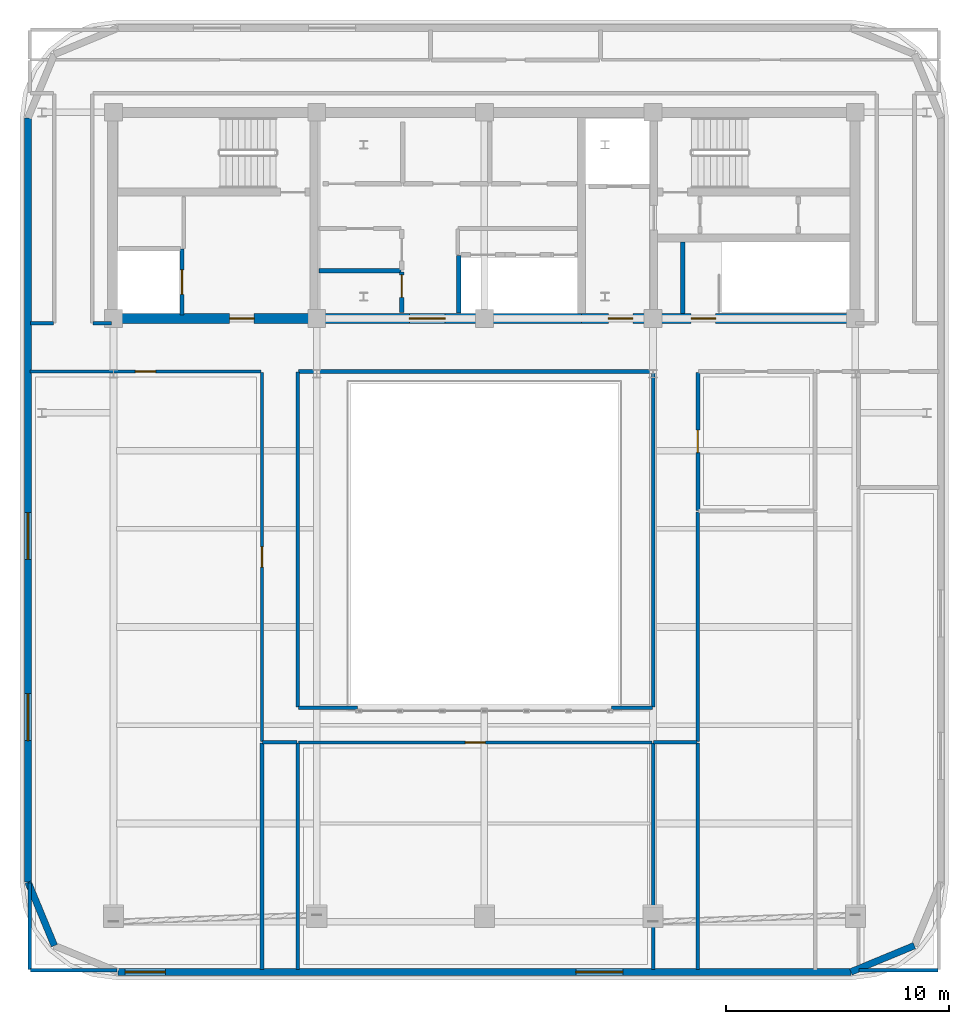
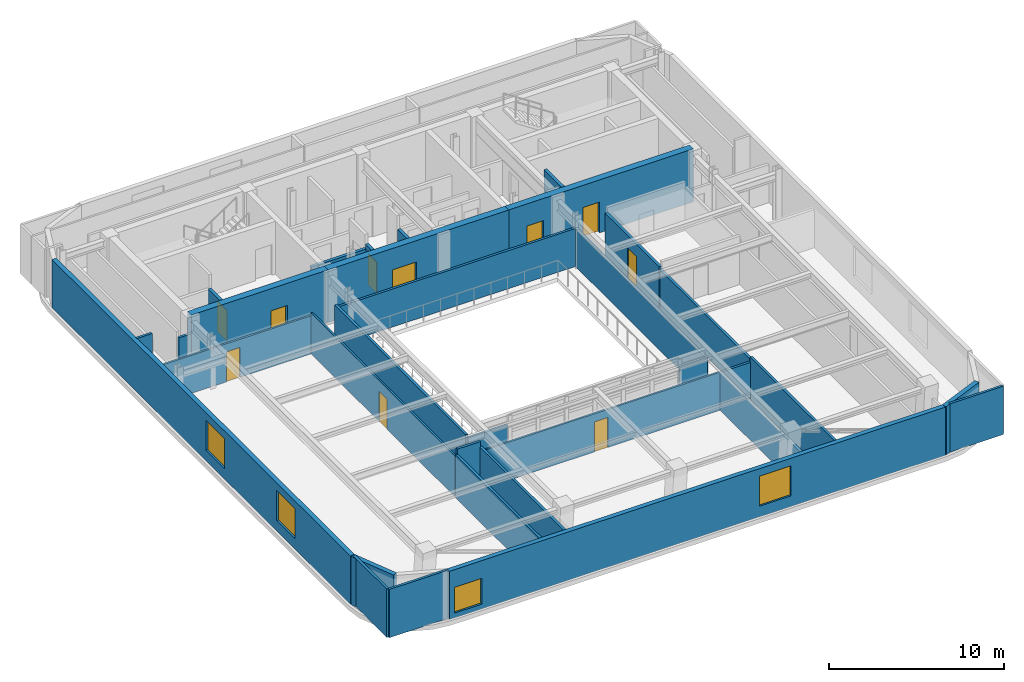
# One storey, part 6 of 11: 33 walls, 10 doors, 4 windows, 14 openings.
"""IFC4 building model written with IfcOpenShell, lengths in metres."""

from ifc_helpers import new_model, si_unit, direction, frame, frame_2d, origin, place, context, subcontext, project, spatial, rectangle, extrude, material, layer, layer_set, type_object, element, fill, save


model = new_model("IFC4")

# Units and contexts
model_context = context("Model", 3, precision=1e-05, world=origin(), true_north=direction((0.0, 1.0)))
body_context = subcontext(model_context, "Body", "Model", "MODEL_VIEW")
ifc_project = project(units=[si_unit("LENGTHUNIT", "METRE"), si_unit("AREAUNIT", "SQUARE_METRE"), si_unit("VOLUMEUNIT", "CUBIC_METRE"), si_unit("PLANEANGLEUNIT", "RADIAN"), si_unit("MASSUNIT", "GRAM", prefix="KILO")], contexts=[model_context])

# Site, building, storey
site_placement = place(None, origin())
site = spatial("IfcSite", under=ifc_project, at=site_placement, CompositionType="ELEMENT")
building_placement = place(site_placement, origin())
building = spatial("IfcBuilding", under=site, at=building_placement, Name="Zarnavel Station Tower", CompositionType="ELEMENT")
storey_placement = place(building_placement, frame((0.0, 0.0, 276.89990234375)))
storey = spatial("IfcBuildingStorey", under=building, at=storey_placement, Name="L75", CompositionType="ELEMENT", Elevation=276.89990234375)

# Wall, opening, door
ifc_material_1 = material(Name="Concrete C50/60", Category="concrete")
ifc_layer_1 = layer(ifc_material_1, 0.449951171875)
ifc_layer_set_1 = layer_set([ifc_layer_1], Name="CW_450")
wall_type_1 = type_object("IfcWallType", Name="CW_450", PredefinedType="SHEAR", material=ifc_layer_set_1)
wall_1_placement = place(storey_placement, frame((21.179931640625, 27.820068359375, 0.0), z_axis=(0.0, 0.0, 1.0), x_axis=(-1.0, 0.0, 0.0)))
wall_1 = element("IfcWall", 1, at=wall_1_placement, inside=storey, type_object=wall_type_1, Name="L75 Rear Core Shear Wall S-W", PredefinedType="SHEAR", context=body_context, shape_type="SweptSolid", body=[
    extrude(rectangle(XDim=9.030029296875, YDim=0.449951171875, at=frame_2d((4.51513671875, 0.0))), origin(), (0.0, 0.0, 1.0), 3.7001953125),
])
opening_1_placement = place(wall_1_placement, frame((2.679931640625, 0.0, 0.0)))
opening_1 = element("IfcOpeningElement", 2, at=opening_1_placement, cuts=wall_1, Name="Opening FD01", PredefinedType="OPENING", context=body_context, shape_type="SweptSolid", body=[
    extrude(rectangle(XDim=1.10009765625, YDim=2.14990234375, at=frame_2d((0.550048828125, 1.074951171875))), frame((0.0, 0.23486328125, 0.0), z_axis=(0.0, -1.0, 0.0), x_axis=(1.0, 0.0, 0.0)), (0.0, 0.0, 1.0), 0.469970703125),
])
ifc_material_2 = material(Name="Painted Galvanised Steel and Hardwood Leaf", Category="steel")
door_type_1 = type_object("IfcDoorType", Name="ID_STAIR_1100", OperationType="NOTDEFINED", PredefinedType="DOOR", material=ifc_material_2)
door_1_placement = place(opening_1_placement, origin())
door_1 = element("IfcDoor", 3, at=door_1_placement, inside=storey, type_object=door_type_1, Name="L75 West Firefighting Lobby Door", OperationType="SINGLE_SWING_RIGHT", OverallHeight=2.14990234375, OverallWidth=1.10009765625, PredefinedType="DOOR", context=body_context, shape_type="SweptSolid", body=[
    extrude(rectangle(XDim=1.10009765625, YDim=2.14990234375, at=frame_2d((0.550048828125, 1.074951171875))), frame((0.0, 0.02490234375, 0.0), z_axis=(0.0, -1.0, 0.0), x_axis=(1.0, 0.0, 0.0)), (0.0, 0.0, 1.0), 0.050048828125),
])
fill(opening_1, door_1)

wall_2_placement = place(storey_placement, frame((33.14990234375, 27.820068359375, 0.0), z_axis=(0.0, 0.0, 1.0), x_axis=(-1.0, 0.0, 0.0)))
wall_2 = element("IfcWall", 4, at=wall_2_placement, inside=storey, type_object=wall_type_1, Name="L75 Rear Core Shear Wall S-M", PredefinedType="SHEAR", context=body_context, shape_type="SweptSolid", body=[
    extrude(rectangle(XDim=11.969970703125, YDim=0.449951171875, at=frame_2d((5.98486328125, 0.0))), origin(), (0.0, 0.0, 1.0), 3.7001953125),
])
opening_2_placement = place(wall_2_placement, frame((6.10009765625, 0.0, 0.0)))
opening_2 = element("IfcOpeningElement", 5, at=opening_2_placement, cuts=wall_2, Name="Opening ID03", PredefinedType="OPENING", context=body_context, shape_type="SweptSolid", body=[
    extrude(rectangle(XDim=1.60009765625, YDim=2.199951171875, at=frame_2d((0.800048828125, 1.10009765625))), frame((0.0, 0.23486328125, 0.0), z_axis=(0.0, -1.0, 0.0), x_axis=(1.0, 0.0, 0.0)), (0.0, 0.0, 1.0), 0.469970703125),
])
ifc_material_3 = material(Name="Painted Galvanised Steel and Hardwood Leaf", Category="steel")
door_type_2 = type_object("IfcDoorType", Name="ID_PUBLIC_1600", OperationType="DOUBLE_DOOR_SINGLE_SWING", PredefinedType="DOOR", material=ifc_material_3)
door_2_placement = place(opening_2_placement, origin())
door_2 = element("IfcDoor", 6, at=door_2_placement, inside=storey, type_object=door_type_2, Name="L75 Passenger Lift Lobby Double Door", OperationType="SINGLE_SWING_LEFT", OverallHeight=2.199951171875, OverallWidth=1.60009765625, PredefinedType="DOOR", context=body_context, shape_type="SweptSolid", body=[
    extrude(rectangle(XDim=1.60009765625, YDim=2.199951171875, at=frame_2d((0.800048828125, 1.10009765625))), frame((0.0, 0.02490234375, 0.0), z_axis=(0.0, -1.0, 0.0), x_axis=(1.0, 0.0, 0.0)), (0.0, 0.0, 1.0), 0.050048828125),
])
fill(opening_2, door_2)

# Wall, openings, doors
wall_3_placement = place(storey_placement, frame((45.3798828125, 27.820068359375, 0.0), z_axis=(0.0, 0.0, 1.0), x_axis=(-1.0, 0.0, 0.0)))
wall_3 = element("IfcWall", 7, at=wall_3_placement, inside=storey, type_object=wall_type_1, Name="L75 Rear Core Shear Wall S-E", PredefinedType="SHEAR", context=body_context, shape_type="SweptSolid", body=[
    extrude(rectangle(XDim=12.22998046875, YDim=0.449951171875, at=frame_2d((6.114990234375, 0.0))), origin(), (0.0, 0.0, 1.0), 3.7001953125),
])
opening_3_placement = place(wall_3_placement, frame((9.929931640625, 0.0, 0.0)))
opening_3 = element("IfcOpeningElement", 8, at=opening_3_placement, cuts=wall_3, Name="Opening FD01", PredefinedType="OPENING", context=body_context, shape_type="SweptSolid", body=[
    extrude(rectangle(XDim=1.10009765625, YDim=2.14990234375, at=frame_2d((0.550048828125, 1.074951171875))), frame((0.0, 0.23486328125, 0.0), z_axis=(0.0, -1.0, 0.0), x_axis=(1.0, 0.0, 0.0)), (0.0, 0.0, 1.0), 0.469970703125),
])
opening_4_placement = place(wall_3_placement, frame((6.22998046875, 0.0, 0.0)))
opening_4 = element("IfcOpeningElement", 9, at=opening_4_placement, cuts=wall_3, Name="Opening FD01", PredefinedType="OPENING", context=body_context, shape_type="SweptSolid", body=[
    extrude(rectangle(XDim=1.10009765625, YDim=2.14990234375, at=frame_2d((0.550048828125, 1.074951171875))), frame((0.0, 0.23486328125, 0.0), z_axis=(0.0, -1.0, 0.0), x_axis=(1.0, 0.0, 0.0)), (0.0, 0.0, 1.0), 0.469970703125),
])
door_3_placement = place(opening_3_placement, origin())
door_3 = element("IfcDoor", 10, at=door_3_placement, inside=storey, type_object=door_type_1, Name="L75 East Firefighting Lobby Door", OperationType="SINGLE_SWING_LEFT", OverallHeight=2.14990234375, OverallWidth=1.10009765625, PredefinedType="DOOR", context=body_context, shape_type="SweptSolid", body=[
    extrude(rectangle(XDim=1.10009765625, YDim=2.14990234375, at=frame_2d((0.550048828125, 1.074951171875))), frame((0.0, 0.02490234375, 0.0), z_axis=(0.0, -1.0, 0.0), x_axis=(1.0, 0.0, 0.0)), (0.0, 0.0, 1.0), 0.050048828125),
])
fill(opening_3, door_3)
door_4_placement = place(opening_4_placement, origin())
door_4 = element("IfcDoor", 11, at=door_4_placement, inside=storey, type_object=door_type_1, Name="L75 Stair ST3 Corridor Fire Door", OperationType="SINGLE_SWING_RIGHT", OverallHeight=2.14990234375, OverallWidth=1.10009765625, PredefinedType="DOOR", context=body_context, shape_type="SweptSolid", body=[
    extrude(rectangle(XDim=1.10009765625, YDim=2.14990234375, at=frame_2d((0.550048828125, 1.074951171875))), frame((0.0, 0.02490234375, 0.0), z_axis=(0.0, -1.0, 0.0), x_axis=(1.0, 0.0, 0.0)), (0.0, 0.0, 1.0), 0.050048828125),
])
fill(opening_4, door_4)

# Wall
ifc_material_4 = material(Name="Precast concrete C45/55 (Dark Basalt Finish)", Category="masonry")
ifc_layer_2 = layer(ifc_material_4, 0.300048828125)
ifc_layer_set_2 = layer_set([ifc_layer_2], Name="EW_BASALT_300")
wall_type_2 = type_object("IfcWallType", Name="EW_BASALT_300", PredefinedType="SOLIDWALL", material=ifc_layer_set_2)
wall_4_placement = place(storey_placement, frame((48.04248046875, -0.24267578125, 0.0), z_axis=(0.0, 0.0, 1.0), x_axis=(-0.92389884758, -0.382636798336, 0.0)))
element("IfcWall", 12, at=wall_4_placement, inside=storey, type_object=wall_type_2, Name="L75 Exterior Basalt Masonry Frame Wall 01", PredefinedType="SOLIDWALL", context=body_context, shape_type="SweptSolid", body=[
    extrude(rectangle(XDim=3.07666015625, YDim=0.300048828125, at=frame_2d((1.538330078125, 0.0))), origin(), (0.0, 0.0, 1.0), 3.380126953125),
])

# Wall, openings, windows
wall_5_placement = place(storey_placement, frame((8.3798828125, 2.60009765625, 0.0), z_axis=(0.0, 0.0, 1.0), x_axis=(0.0, 1.0, 0.0)))
wall_5 = element("IfcWall", 13, at=wall_5_placement, inside=storey, type_object=wall_type_2, Name="L75 Exterior Basalt Masonry Frame Wall 09", PredefinedType="SOLIDWALL", context=body_context, shape_type="SweptSolid", body=[
    extrude(rectangle(XDim=34.199951171875, YDim=0.300048828125, at=frame_2d((17.10009765625, 0.0))), origin(), (0.0, 0.0, 1.0), 3.380126953125),
])
opening_5_placement = place(wall_5_placement, frame((6.330078125, 0.0, 0.75)))
opening_5 = element("IfcOpeningElement", 14, at=opening_5_placement, cuts=wall_5, Name="Opening WN05", PredefinedType="OPENING", context=body_context, shape_type="SweptSolid", body=[
    extrude(rectangle(XDim=2.10009765625, YDim=2.10009765625, at=frame_2d((1.050048828125, 1.050048828125))), frame((0.0, 0.159912109375, 0.0), z_axis=(0.0, -1.0, 0.0), x_axis=(1.0, 0.0, 0.0)), (0.0, 0.0, 1.0), 0.320068359375),
])
opening_6_placement = place(wall_5_placement, frame((14.43994140625, 0.0, 0.75)))
opening_6 = element("IfcOpeningElement", 15, at=opening_6_placement, cuts=wall_5, Name="Opening WN05", PredefinedType="OPENING", context=body_context, shape_type="SweptSolid", body=[
    extrude(rectangle(XDim=2.10009765625, YDim=2.10009765625, at=frame_2d((1.050048828125, 1.050048828125))), frame((0.0, 0.159912109375, 0.0), z_axis=(0.0, -1.0, 0.0), x_axis=(1.0, 0.0, 0.0)), (0.0, 0.0, 1.0), 0.320068359375),
])
ifc_material_5 = material(Name="Thermally Broken Black Aluminium and Low-E Dark Glass", Category="aluminium")
window_type_1 = type_object("IfcWindowType", Name="WN_2100x2100", PartitioningType="TRIPLE_PANEL_VERTICAL", PredefinedType="WINDOW", material=ifc_material_5)
window_1_placement = place(opening_5_placement, origin())
window_1 = element("IfcWindow", 16, at=window_1_placement, inside=storey, type_object=window_type_1, Name="L75 Recessed Facade Window 01", OverallHeight=2.10009765625, OverallWidth=2.10009765625, PartitioningType="SINGLE_PANEL", PredefinedType="WINDOW", context=body_context, shape_type="SweptSolid", body=[
    extrude(rectangle(XDim=2.10009765625, YDim=2.10009765625, at=frame_2d((1.050048828125, 1.050048828125))), frame((0.0, 0.030029296875, 0.0), z_axis=(0.0, -1.0, 0.0), x_axis=(1.0, 0.0, 0.0)), (0.0, 0.0, 1.0), 0.06005859375),
])
fill(opening_5, window_1)
window_2_placement = place(opening_6_placement, origin())
window_2 = element("IfcWindow", 17, at=window_2_placement, inside=storey, type_object=window_type_1, Name="L75 Recessed Facade Window 02", OverallHeight=2.10009765625, OverallWidth=2.10009765625, PartitioningType="SINGLE_PANEL", PredefinedType="WINDOW", context=body_context, shape_type="SweptSolid", body=[
    extrude(rectangle(XDim=2.10009765625, YDim=2.10009765625, at=frame_2d((1.050048828125, 1.050048828125))), frame((0.0, 0.030029296875, 0.0), z_axis=(0.0, -1.0, 0.0), x_axis=(1.0, 0.0, 0.0)), (0.0, 0.0, 1.0), 0.06005859375),
])
fill(opening_6, window_2)

# Wall
wall_6_placement = place(storey_placement, frame((9.557373046875, -0.24267578125, 0.0), z_axis=(0.0, 0.0, 1.0), x_axis=(-0.382676475685, 0.923882414032, 0.0)))
element("IfcWall", 18, at=wall_6_placement, inside=storey, type_object=wall_type_2, Name="L75 Exterior Basalt Masonry Frame Wall 10", PredefinedType="SOLIDWALL", context=body_context, shape_type="SweptSolid", body=[
    extrude(rectangle(XDim=3.076904296875, YDim=0.300048828125, at=frame_2d((1.53857421875, 0.0))), origin(), (0.0, 0.0, 1.0), 3.380126953125),
])

# Wall, openings, windows
wall_7_placement = place(storey_placement, frame((45.199951171875, -1.419921875, 0.0), z_axis=(0.0, 0.0, 1.0), x_axis=(-1.0, 0.0, 0.0)))
wall_7 = element("IfcWall", 19, at=wall_7_placement, inside=storey, type_object=wall_type_2, Name="L75 Exterior Basalt Masonry Frame Wall 12", PredefinedType="SOLIDWALL", context=body_context, shape_type="SweptSolid", body=[
    extrude(rectangle(XDim=32.800048828125, YDim=0.300048828125, at=frame_2d((16.39990234375, 0.0))), origin(), (0.0, 0.0, 1.0), 3.380126953125),
])
opening_7_placement = place(wall_7_placement, frame((30.679931640625, 0.0, 0.340087890625)))
opening_7 = element("IfcOpeningElement", 20, at=opening_7_placement, cuts=wall_7, Name="Opening WN02", PredefinedType="OPENING", context=body_context, shape_type="SweptSolid", body=[
    extrude(rectangle(XDim=1.800048828125, YDim=1.800048828125, at=frame_2d((0.89990234375, 0.89990234375))), frame((0.0, 0.159912109375, 0.0), z_axis=(0.0, -1.0, 0.0), x_axis=(1.0, 0.0, 0.0)), (0.0, 0.0, 1.0), 0.320068359375),
])
opening_8_placement = place(wall_7_placement, frame((10.2060546875, 0.0, 0.75)))
opening_8 = element("IfcOpeningElement", 21, at=opening_8_placement, cuts=wall_7, Name="Opening WN05", PredefinedType="OPENING", context=body_context, shape_type="SweptSolid", body=[
    extrude(rectangle(XDim=2.10009765625, YDim=2.10009765625, at=frame_2d((1.050048828125, 1.050048828125))), frame((0.0, 0.159912109375, 0.0), z_axis=(0.0, -1.0, 0.0), x_axis=(1.0, 0.0, 0.0)), (0.0, 0.0, 1.0), 0.320068359375),
])
ifc_material_6 = material(Name="Thermally Broken Black Aluminium and Low-E Dark Glass", Category="aluminium")
window_type_2 = type_object("IfcWindowType", Name="WN_1800x1800", PartitioningType="DOUBLE_PANEL_VERTICAL", PredefinedType="WINDOW", material=ifc_material_6)
window_3_placement = place(opening_7_placement, origin())
window_3 = element("IfcWindow", 22, at=window_3_placement, inside=storey, type_object=window_type_2, Name="L75 Recessed Facade Window 01", OverallHeight=1.800048828125, OverallWidth=1.800048828125, PartitioningType="SINGLE_PANEL", PredefinedType="WINDOW", context=body_context, shape_type="SweptSolid", body=[
    extrude(rectangle(XDim=1.800048828125, YDim=1.800048828125, at=frame_2d((0.89990234375, 0.89990234375))), frame((0.0, 0.030029296875, 0.0), z_axis=(0.0, -1.0, 0.0), x_axis=(1.0, 0.0, 0.0)), (0.0, 0.0, 1.0), 0.06005859375),
])
fill(opening_7, window_3)
window_4_placement = place(opening_8_placement, origin())
window_4 = element("IfcWindow", 23, at=window_4_placement, inside=storey, type_object=window_type_1, Name="L75 Recessed Facade Window 02", OverallHeight=2.10009765625, OverallWidth=2.10009765625, PartitioningType="SINGLE_PANEL", PredefinedType="WINDOW", context=body_context, shape_type="SweptSolid", body=[
    extrude(rectangle(XDim=2.10009765625, YDim=2.10009765625, at=frame_2d((1.050048828125, 1.050048828125))), frame((0.0, 0.030029296875, 0.0), z_axis=(0.0, -1.0, 0.0), x_axis=(1.0, 0.0, 0.0)), (0.0, 0.0, 1.0), 0.06005859375),
])
fill(opening_8, window_4)

# Walls
ifc_material_7 = material(Name="Gypsum Twin-Stud Acoustic Fire Partition", Category="concrete")
ifc_layer_3 = layer(ifc_material_7, 0.159912109375)
ifc_layer_set_3 = layer_set([ifc_layer_3], Name="PT_DEMISE_160")
wall_type_3 = type_object("IfcWallType", Name="PT_DEMISE_160", PredefinedType="PARTITIONING", material=ifc_layer_set_3)
wall_8_placement = place(storey_placement, frame((38.35009765625, 8.889892578125, 0.0), z_axis=(0.0, 0.0, 1.0), x_axis=(0.0, 1.0, 0.0)))
element("IfcWall", 24, at=wall_8_placement, inside=storey, type_object=wall_type_3, Name="L75 Partition COR-AE-SSTR", PredefinedType="PARTITIONING", context=body_context, shape_type="SweptSolid", body=[
    extrude(rectangle(XDim=10.27001953125, YDim=0.159912109375, at=frame_2d((5.135009765625, 0.0))), origin(), (0.0, 0.0, 1.0), 2.860107421875),
])
wall_9_placement = place(storey_placement, frame((20.47998046875, 25.449951171875, 0.0), z_axis=(0.0, 0.0, 1.0), x_axis=(1.0, 0.0, 0.0)))
element("IfcWall", 25, at=wall_9_placement, inside=storey, type_object=wall_type_3, Name="L75 Enclosure Wall COR-S", PredefinedType="PARTITIONING", context=body_context, shape_type="SweptSolid", body=[
    extrude(rectangle(XDim=15.840087890625, YDim=0.159912109375, at=frame_2d((7.919921875, 0.0))), origin(), (0.0, 0.0, 1.0), 2.66015625),
])
wall_10_placement = place(storey_placement, frame((8.489990234375, 27.60009765625, 0.0), z_axis=(0.0, 0.0, 1.0), x_axis=(1.0, 0.0, 0.0)))
element("IfcWall", 26, at=wall_10_placement, inside=storey, type_object=wall_type_3, Name="L75 Enclosure Wall COR-S", PredefinedType="PARTITIONING", context=body_context, shape_type="SweptSolid", body=[
    extrude(rectangle(XDim=1.030029296875, YDim=0.159912109375, at=frame_2d((0.51513671875, 0.0))), origin(), (0.0, 0.0, 1.0), 3.380126953125),
])
wall_11_placement = place(storey_placement, frame((11.280029296875, 27.60009765625, 0.0), z_axis=(0.0, 0.0, 1.0), x_axis=(1.0, 0.0, 0.0)))
element("IfcWall", 27, at=wall_11_placement, inside=storey, type_object=wall_type_3, Name="L75 Enclosure Wall COR-S", PredefinedType="PARTITIONING", context=body_context, shape_type="SweptSolid", body=[
    extrude(rectangle(XDim=0.840087890625, YDim=0.159912109375, at=frame_2d((0.419921875, 0.0))), origin(), (0.0, 0.0, 1.0), 2.4501953125),
])
wall_12_placement = place(storey_placement, frame((18.8798828125, 8.85009765625, 0.0), z_axis=(0.0, 0.0, 1.0), x_axis=(1.0, 0.0, 0.0)))
element("IfcWall", 28, at=wall_12_placement, inside=storey, type_object=wall_type_3, Name="L75 Enclosure Wall COR-AW", PredefinedType="PARTITIONING", context=body_context, shape_type="SweptSolid", body=[
    extrude(rectangle(XDim=1.5400390625, YDim=0.159912109375, at=frame_2d((0.77001953125, 0.0))), origin(), (0.0, 0.0, 1.0), 3.380126953125),
])
wall_13_placement = place(storey_placement, frame((20.449951171875, 10.429931640625, 0.0), z_axis=(0.0, 0.0, 1.0), x_axis=(0.0, 1.0, 0.0)))
element("IfcWall", 29, at=wall_13_placement, inside=storey, type_object=wall_type_3, Name="L75 Enclosure Wall COR-AW", PredefinedType="PARTITIONING", context=body_context, shape_type="SweptSolid", body=[
    extrude(rectangle(XDim=14.989990234375, YDim=0.159912109375, at=frame_2d((7.4951171875, 0.0))), origin(), (0.0, 0.0, 1.0), 2.860107421875),
])
wall_14_placement = place(storey_placement, frame((36.3798828125, 8.85009765625, 0.0), z_axis=(0.0, 0.0, 1.0), x_axis=(1.0, 0.0, 0.0)))
element("IfcWall", 30, at=wall_14_placement, inside=storey, type_object=wall_type_3, Name="L75 Enclosure Wall COR-AE", PredefinedType="PARTITIONING", context=body_context, shape_type="SweptSolid", body=[
    extrude(rectangle(XDim=1.940185546875, YDim=0.159912109375, at=frame_2d((0.97021484375, 0.0))), origin(), (0.0, 0.0, 1.0), 2.66015625),
])
wall_15_placement = place(storey_placement, frame((36.35009765625, 10.429931640625, 0.0), z_axis=(0.0, 0.0, 1.0), x_axis=(0.0, 1.0, 0.0)))
element("IfcWall", 31, at=wall_15_placement, inside=storey, type_object=wall_type_3, Name="L75 Enclosure Wall COR-AE", PredefinedType="PARTITIONING", context=body_context, shape_type="SweptSolid", body=[
    extrude(rectangle(XDim=14.989990234375, YDim=0.159912109375, at=frame_2d((7.4951171875, 0.0))), origin(), (0.0, 0.0, 1.0), 2.66015625),
])
wall_16_placement = place(storey_placement, frame((20.47998046875, 10.39990234375, 0.0), z_axis=(0.0, 0.0, 1.0), x_axis=(1.0, 0.0, 0.0)))
element("IfcWall", 32, at=wall_16_placement, inside=storey, type_object=wall_type_3, Name="L75 Enclosure Wall COR-AS", PredefinedType="PARTITIONING", context=body_context, shape_type="SweptSolid", body=[
    extrude(rectangle(XDim=2.64013671875, YDim=0.159912109375, at=frame_2d((1.320068359375, 0.0))), origin(), (0.0, 0.0, 1.0), 2.66015625),
])
wall_17_placement = place(storey_placement, frame((34.47998046875, 10.39990234375, 0.0), z_axis=(0.0, 0.0, 1.0), x_axis=(1.0, 0.0, 0.0)))
element("IfcWall", 33, at=wall_17_placement, inside=storey, type_object=wall_type_3, Name="L75 Enclosure Wall COR-AS", PredefinedType="PARTITIONING", context=body_context, shape_type="SweptSolid", body=[
    extrude(rectangle(XDim=1.840087890625, YDim=0.159912109375, at=frame_2d((0.919921875, 0.0))), origin(), (0.0, 0.0, 1.0), 2.66015625),
])
for number, where, z_axis, x_axis, name in (
    (34, (8.489990234375, -1.340087890625, 0.0), (0.0, 0.0, 1.0), (1.0, 0.0, 0.0), "L75 Enclosure Wall SREST"),
    (35, (8.4599609375, -1.31005859375, 0.0), (0.0, 0.0, 1.0), (0.0, 1.0, 0.0), "L75 Enclosure Wall SREST"),
):
    element("IfcWall", number, at=place(storey_placement, frame(where, z_axis=z_axis, x_axis=x_axis)), inside=storey, type_object=wall_type_3, Name=name, PredefinedType="PARTITIONING", context=body_context, shape_type="SweptSolid", body=[
        extrude(rectangle(XDim=3.880126953125, YDim=0.159912109375, at=frame_2d((1.93994140625, 0.0))), origin(), (0.0, 0.0, 1.0), 3.380126953125),
    ])
for number, where, z_axis, x_axis, name in (
    (36, (18.85009765625, -1.31005859375, 0.0), (0.0, 0.0, 1.0), (0.0, 1.0, 0.0), "L75 Enclosure Wall SREST"),
    (37, (20.449951171875, -1.31005859375, 0.0), (0.0, 0.0, 1.0), (0.0, 1.0, 0.0), "L75 Enclosure Wall SBAR"),
):
    element("IfcWall", number, at=place(storey_placement, frame(where, z_axis=z_axis, x_axis=x_axis)), inside=storey, type_object=wall_type_3, Name=name, PredefinedType="PARTITIONING", context=body_context, shape_type="SweptSolid", body=[
        extrude(rectangle(XDim=10.130126953125, YDim=0.159912109375, at=frame_2d((5.06494140625, 0.0))), origin(), (0.0, 0.0, 1.0), 3.010009765625),
    ])
wall_18_placement = place(storey_placement, frame((36.35009765625, -1.31005859375, 0.0), z_axis=(0.0, 0.0, 1.0), x_axis=(0.0, 1.0, 0.0)))
element("IfcWall", 38, at=wall_18_placement, inside=storey, type_object=wall_type_3, Name="L75 Enclosure Wall SBAR", PredefinedType="PARTITIONING", context=body_context, shape_type="SweptSolid", body=[
    extrude(rectangle(XDim=10.130126953125, YDim=0.159912109375, at=frame_2d((5.06494140625, 0.0))), origin(), (0.0, 0.0, 1.0), 2.66015625),
])
wall_19_placement = place(storey_placement, frame((38.35009765625, -1.31005859375, 0.0), z_axis=(0.0, 0.0, 1.0), x_axis=(0.0, 1.0, 0.0)))
element("IfcWall", 39, at=wall_19_placement, inside=storey, type_object=wall_type_3, Name="L75 Enclosure Wall SSTR", PredefinedType="PARTITIONING", context=body_context, shape_type="SweptSolid", body=[
    extrude(rectangle(XDim=10.130126953125, YDim=0.159912109375, at=frame_2d((5.06494140625, 0.0))), origin(), (0.0, 0.0, 1.0), 3.010009765625),
])
wall_20_placement = place(storey_placement, frame((45.570068359375, -1.340087890625, 0.0), z_axis=(0.0, 0.0, 1.0), x_axis=(1.0, 0.0, 0.0)))
element("IfcWall", 40, at=wall_20_placement, inside=storey, type_object=wall_type_3, Name="L75 Enclosure Wall SLGN", PredefinedType="PARTITIONING", context=body_context, shape_type="SweptSolid", body=[
    extrude(rectangle(XDim=3.5400390625, YDim=0.159912109375, at=frame_2d((1.77001953125, 0.0))), origin(), (0.0, 0.0, 1.0), 3.380126953125),
])

# Wall, opening, door
ifc_material_8 = material(Name="Gypsum Metal-Stud Interior Partition", Category="concrete")
ifc_layer_4 = layer(ifc_material_8, 0.1201171875)
ifc_layer_set_4 = layer_set([ifc_layer_4], Name="PT_ROOM_120")
wall_type_4 = type_object("IfcWallType", Name="PT_ROOM_120", PredefinedType="PARTITIONING", material=ifc_layer_set_4)
wall_21_placement = place(storey_placement, frame((8.4599609375, 25.449951171875, 0.0), z_axis=(0.0, 0.0, 1.0), x_axis=(1.0, 0.0, 0.0)))
wall_21 = element("IfcWall", 41, at=wall_21_placement, inside=storey, type_object=wall_type_4, Name="L75 Partition COR-S-SREST", PredefinedType="PARTITIONING", context=body_context, shape_type="SweptSolid", body=[
    extrude(rectangle(XDim=10.35009765625, YDim=0.1201171875, at=frame_2d((5.175048828125, 0.0))), origin(), (0.0, 0.0, 1.0), 2.66015625),
])
opening_9_placement = place(wall_21_placement, frame((4.72509765625, 0.0, 0.0)))
opening_9 = element("IfcOpeningElement", 42, at=opening_9_placement, cuts=wall_21, Name="Opening ID01", PredefinedType="OPENING", context=body_context, shape_type="SweptSolid", body=[
    extrude(rectangle(XDim=0.89990234375, YDim=2.10009765625, at=frame_2d((0.449951171875, 1.050048828125))), frame((0.0, 0.070068359375, 0.0), z_axis=(0.0, -1.0, 0.0), x_axis=(1.0, 0.0, 0.0)), (0.0, 0.0, 1.0), 0.14013671875),
])
ifc_material_9 = material(Name="Painted Galvanised Steel and Hardwood Leaf", Category="steel")
door_type_3 = type_object("IfcDoorType", Name="ID_ROOM_900", OperationType="NOTDEFINED", PredefinedType="DOOR", material=ifc_material_9)
door_5_placement = place(opening_9_placement, origin())
door_5 = element("IfcDoor", 43, at=door_5_placement, inside=storey, type_object=door_type_3, Name="L75 Door COR-S-SREST", OperationType="SINGLE_SWING_RIGHT", OverallHeight=2.10009765625, OverallWidth=0.89990234375, PredefinedType="DOOR", context=body_context, shape_type="SweptSolid", body=[
    extrude(rectangle(XDim=0.89990234375, YDim=2.10009765625, at=frame_2d((0.449951171875, 1.050048828125))), frame((0.0, 0.02490234375, 0.0), z_axis=(0.0, -1.0, 0.0), x_axis=(1.0, 0.0, 0.0)), (0.0, 0.0, 1.0), 0.050048828125),
])
fill(opening_9, door_5)

wall_22_placement = place(storey_placement, frame((18.85009765625, 8.889892578125, 0.0), z_axis=(0.0, 0.0, 1.0), x_axis=(0.0, 1.0, 0.0)))
wall_22 = element("IfcWall", 44, at=wall_22_placement, inside=storey, type_object=wall_type_4, Name="L75 Partition COR-AW-SREST", PredefinedType="PARTITIONING", context=body_context, shape_type="SweptSolid", body=[
    extrude(rectangle(XDim=16.52001953125, YDim=0.1201171875, at=frame_2d((8.260009765625, 0.0))), origin(), (0.0, 0.0, 1.0), 2.860107421875),
])
opening_10_placement = place(wall_22_placement, frame((7.81005859375, 0.0, 0.0)))
opening_10 = element("IfcOpeningElement", 45, at=opening_10_placement, cuts=wall_22, Name="Opening ID01", PredefinedType="OPENING", context=body_context, shape_type="SweptSolid", body=[
    extrude(rectangle(XDim=0.89990234375, YDim=2.10009765625, at=frame_2d((0.449951171875, 1.050048828125))), frame((0.0, 0.070068359375, 0.0), z_axis=(0.0, -1.0, 0.0), x_axis=(1.0, 0.0, 0.0)), (0.0, 0.0, 1.0), 0.14013671875),
])
door_6_placement = place(opening_10_placement, origin())
door_6 = element("IfcDoor", 46, at=door_6_placement, inside=storey, type_object=door_type_3, Name="L75 Door COR-AW-SREST", OperationType="SINGLE_SWING_RIGHT", OverallHeight=2.10009765625, OverallWidth=0.89990234375, PredefinedType="DOOR", context=body_context, shape_type="SweptSolid", body=[
    extrude(rectangle(XDim=0.89990234375, YDim=2.10009765625, at=frame_2d((0.449951171875, 1.050048828125))), frame((0.0, 0.02490234375, 0.0), z_axis=(0.0, -1.0, 0.0), x_axis=(1.0, 0.0, 0.0)), (0.0, 0.0, 1.0), 0.050048828125),
])
fill(opening_10, door_6)

wall_23_placement = place(storey_placement, frame((20.489990234375, 8.85009765625, 0.0), z_axis=(0.0, 0.0, 1.0), x_axis=(1.0, 0.0, 0.0)))
wall_23 = element("IfcWall", 47, at=wall_23_placement, inside=storey, type_object=wall_type_4, Name="L75 Partition COR-AS-SBAR", PredefinedType="PARTITIONING", context=body_context, shape_type="SweptSolid", body=[
    extrude(rectangle(XDim=15.820068359375, YDim=0.1201171875, at=frame_2d((7.91015625, 0.0))), origin(), (0.0, 0.0, 1.0), 2.66015625),
])
opening_11_placement = place(wall_23_placement, frame((7.4599609375, 0.0, 0.0)))
opening_11 = element("IfcOpeningElement", 48, at=opening_11_placement, cuts=wall_23, Name="Opening ID01", PredefinedType="OPENING", context=body_context, shape_type="SweptSolid", body=[
    extrude(rectangle(XDim=0.89990234375, YDim=2.10009765625, at=frame_2d((0.449951171875, 1.050048828125))), frame((0.0, 0.070068359375, 0.0), z_axis=(0.0, -1.0, 0.0), x_axis=(1.0, 0.0, 0.0)), (0.0, 0.0, 1.0), 0.14013671875),
])
door_7_placement = place(opening_11_placement, origin())
door_7 = element("IfcDoor", 49, at=door_7_placement, inside=storey, type_object=door_type_3, Name="L75 Door COR-AS-SBAR", OperationType="SINGLE_SWING_RIGHT", OverallHeight=2.10009765625, OverallWidth=0.89990234375, PredefinedType="DOOR", context=body_context, shape_type="SweptSolid", body=[
    extrude(rectangle(XDim=0.89990234375, YDim=2.10009765625, at=frame_2d((0.449951171875, 1.050048828125))), frame((0.0, 0.02490234375, 0.0), z_axis=(0.0, -1.0, 0.0), x_axis=(1.0, 0.0, 0.0)), (0.0, 0.0, 1.0), 0.050048828125),
])
fill(opening_11, door_7)

ifc_material_10 = material(Name="Precast concrete C45/55 (Fire Shaft Blockwork)", Category="masonry")
ifc_layer_5 = layer(ifc_material_10, 0.199951171875)
ifc_layer_set_5 = layer_set([ifc_layer_5], Name="PT_SHAFT_200")
wall_type_5 = type_object("IfcWallType", Name="PT_SHAFT_200", PredefinedType="PARTITIONING", material=ifc_layer_set_5)
wall_24_placement = place(storey_placement, frame((15.27001953125, 27.969970703125, 0.0), z_axis=(0.0, 0.0, 1.0), x_axis=(0.0, 1.0, 0.0)))
wall_24 = element("IfcWall", 50, at=wall_24_placement, inside=storey, type_object=wall_type_5, Name="L75 Lift FFL-01 Shaft Front Wall", PredefinedType="PARTITIONING", context=body_context, shape_type="SweptSolid", body=[
    extrude(rectangle(XDim=2.9599609375, YDim=0.199951171875, at=frame_2d((1.47998046875, 0.0))), origin(), (0.0, 0.0, 1.0), 2.4501953125),
])
opening_12_placement = place(wall_24_placement, frame((0.929931640625, 0.0, 0.0)))
opening_12 = element("IfcOpeningElement", 51, at=opening_12_placement, cuts=wall_24, Name="Opening LD01", PredefinedType="OPENING", context=body_context, shape_type="SweptSolid", body=[
    extrude(rectangle(XDim=1.10009765625, YDim=2.14990234375, at=frame_2d((0.550048828125, 1.074951171875))), frame((0.0, 0.10986328125, 0.0), z_axis=(0.0, -1.0, 0.0), x_axis=(1.0, 0.0, 0.0)), (0.0, 0.0, 1.0), 0.219970703125),
])
ifc_material_11 = material(Name="Painted Galvanised Steel and Hardwood Leaf", Category="steel")
door_type_4 = type_object("IfcDoorType", Name="LD_FF_1100", OperationType="DOUBLE_DOOR_SLIDING", PredefinedType="DOOR", material=ifc_material_11)
door_8_placement = place(opening_12_placement, origin())
door_8 = element("IfcDoor", 52, at=door_8_placement, inside=storey, type_object=door_type_4, Name="L75 Lift FFL-01 Sliding Landing Door", OperationType="DOUBLE_DOOR_SLIDING", OverallHeight=2.14990234375, OverallWidth=1.10009765625, PredefinedType="DOOR", context=body_context, shape_type="SweptSolid", body=[
    extrude(rectangle(XDim=1.10009765625, YDim=2.14990234375, at=frame_2d((0.550048828125, 1.074951171875))), frame((0.0, 0.02490234375, 0.0), z_axis=(0.0, -1.0, 0.0), x_axis=(1.0, 0.0, 0.0)), (0.0, 0.0, 1.0), 0.050048828125),
])
fill(opening_12, door_8)

# Walls
wall_25_placement = place(storey_placement, frame((27.64990234375, 28.070068359375, 0.0), z_axis=(0.0, 0.0, 1.0), x_axis=(0.0, 1.0, 0.0)))
element("IfcWall", 53, at=wall_25_placement, inside=storey, type_object=wall_type_5, Name="L75 High-Rise Lift Bank West Shaft Wall", PredefinedType="PARTITIONING", context=body_context, shape_type="SweptSolid", body=[
    extrude(rectangle(XDim=2.579833984375, YDim=0.199951171875, at=frame_2d((1.2900390625, 0.0))), origin(), (0.0, 0.0, 1.0), 2.4501953125),
])
wall_26_placement = place(storey_placement, frame((37.679931640625, 28.044921875, 0.0), z_axis=(0.0, 0.0, 1.0), x_axis=(0.0, 1.0, 0.0)))
element("IfcWall", 54, at=wall_26_placement, inside=storey, type_object=wall_type_5, Name="L75 Stair ST3 West Shaft Wall", PredefinedType="PARTITIONING", context=body_context, shape_type="SweptSolid", body=[
    extrude(rectangle(XDim=3.205078125, YDim=0.199951171875, at=frame_2d((1.6025390625, 0.0))), origin(), (0.0, 0.0, 1.0), 2.760009765625),
])

# Wall, opening, door
wall_27_placement = place(storey_placement, frame((25.10009765625, 28.090087890625, 0.0), z_axis=(0.0, 0.0, 1.0), x_axis=(0.0, 1.0, 0.0)))
wall_27 = element("IfcWall", 55, at=wall_27_placement, inside=storey, type_object=wall_type_5, Name="L75 Partition LLOBS-CS1", PredefinedType="PARTITIONING", context=body_context, shape_type="SweptSolid", body=[
    extrude(rectangle(XDim=1.81982421875, YDim=0.199951171875, at=frame_2d((0.909912109375, 0.0))), origin(), (0.0, 0.0, 1.0), 2.760009765625),
])
opening_13_placement = place(wall_27_placement, frame((0.679931640625, 0.0, 0.0)))
opening_13 = element("IfcOpeningElement", 56, at=opening_13_placement, cuts=wall_27, Name="Opening FD02", PredefinedType="OPENING", context=body_context, shape_type="SweptSolid", body=[
    extrude(rectangle(XDim=1.0, YDim=2.14990234375, at=frame_2d((0.5, 1.074951171875))), frame((0.0, 0.10986328125, 0.0), z_axis=(0.0, -1.0, 0.0), x_axis=(1.0, 0.0, 0.0)), (0.0, 0.0, 1.0), 0.219970703125),
])
ifc_material_12 = material(Name="Painted Galvanised Steel and Hardwood Leaf", Category="steel")
door_type_5 = type_object("IfcDoorType", Name="ID_ENTRY_1000", OperationType="NOTDEFINED", PredefinedType="DOOR", material=ifc_material_12)
door_9_placement = place(opening_13_placement, origin())
door_9 = element("IfcDoor", 57, at=door_9_placement, inside=storey, type_object=door_type_5, Name="L75 Door LLOBS-CS1", OperationType="SINGLE_SWING_RIGHT", OverallHeight=2.14990234375, OverallWidth=1.0, PredefinedType="DOOR", context=body_context, shape_type="SweptSolid", body=[
    extrude(rectangle(XDim=1.0, YDim=2.14990234375, at=frame_2d((0.5, 1.074951171875))), frame((0.0, 0.02490234375, 0.0), z_axis=(0.0, -1.0, 0.0), x_axis=(1.0, 0.0, 0.0)), (0.0, 0.0, 1.0), 0.050048828125),
])
fill(opening_13, door_9)

# Wall
wall_28_placement = place(storey_placement, frame((21.39990234375, 29.949951171875, 0.0), z_axis=(0.0, 0.0, 1.0), x_axis=(1.0, 0.0, 0.0)))
element("IfcWall", 58, at=wall_28_placement, inside=storey, type_object=wall_type_5, Name="L75 Partition CS1-CS2", PredefinedType="PARTITIONING", context=body_context, shape_type="SweptSolid", body=[
    extrude(rectangle(XDim=3.66015625, YDim=0.199951171875, at=frame_2d((1.830078125, 0.0))), origin(), (0.0, 0.0, 1.0), 2.4501953125),
])

# Wall, opening, door
ifc_material_13 = material(Name="Moisture-Resistant Plumbing Chase Wall", Category="concrete")
ifc_layer_6 = layer(ifc_material_13, 0.179931640625)
ifc_layer_set_6 = layer_set([ifc_layer_6], Name="PW_PLUMB_180")
wall_type_6 = type_object("IfcWallType", Name="PW_PLUMB_180", PredefinedType="PLUMBINGWALL", material=ifc_layer_set_6)
wall_29_placement = place(storey_placement, frame((38.35009765625, 19.239990234375, 0.0), z_axis=(0.0, 0.0, 1.0), x_axis=(0.0, 1.0, 0.0)))
wall_29 = element("IfcWall", 59, at=wall_29_placement, inside=storey, type_object=wall_type_6, Name="L75 Partition COR-AE-SKIT", PredefinedType="PLUMBINGWALL", context=body_context, shape_type="SweptSolid", body=[
    extrude(rectangle(XDim=6.169921875, YDim=0.179931640625, at=frame_2d((3.0849609375, 0.0))), origin(), (0.0, 0.0, 1.0), 3.010009765625),
])
opening_14_placement = place(wall_29_placement, frame((2.5849609375, 0.0, 0.0)))
opening_14 = element("IfcOpeningElement", 60, at=opening_14_placement, cuts=wall_29, Name="Opening FD02", PredefinedType="OPENING", context=body_context, shape_type="SweptSolid", body=[
    extrude(rectangle(XDim=1.0, YDim=2.14990234375, at=frame_2d((0.5, 1.074951171875))), frame((0.0, 0.099853515625, 0.0), z_axis=(0.0, -1.0, 0.0), x_axis=(1.0, 0.0, 0.0)), (0.0, 0.0, 1.0), 0.199951171875),
])
door_10_placement = place(opening_14_placement, origin())
door_10 = element("IfcDoor", 61, at=door_10_placement, inside=storey, type_object=door_type_5, Name="L75 Door COR-AE-SKIT", OperationType="SINGLE_SWING_LEFT", OverallHeight=2.14990234375, OverallWidth=1.0, PredefinedType="DOOR", context=body_context, shape_type="SweptSolid", body=[
    extrude(rectangle(XDim=1.0, YDim=2.14990234375, at=frame_2d((0.5, 1.074951171875))), frame((0.0, 0.02490234375, 0.0), z_axis=(0.0, -1.0, 0.0), x_axis=(1.0, 0.0, 0.0)), (0.0, 0.0, 1.0), 0.050048828125),
])
fill(opening_14, door_10)

save(model, "model.ifc")
